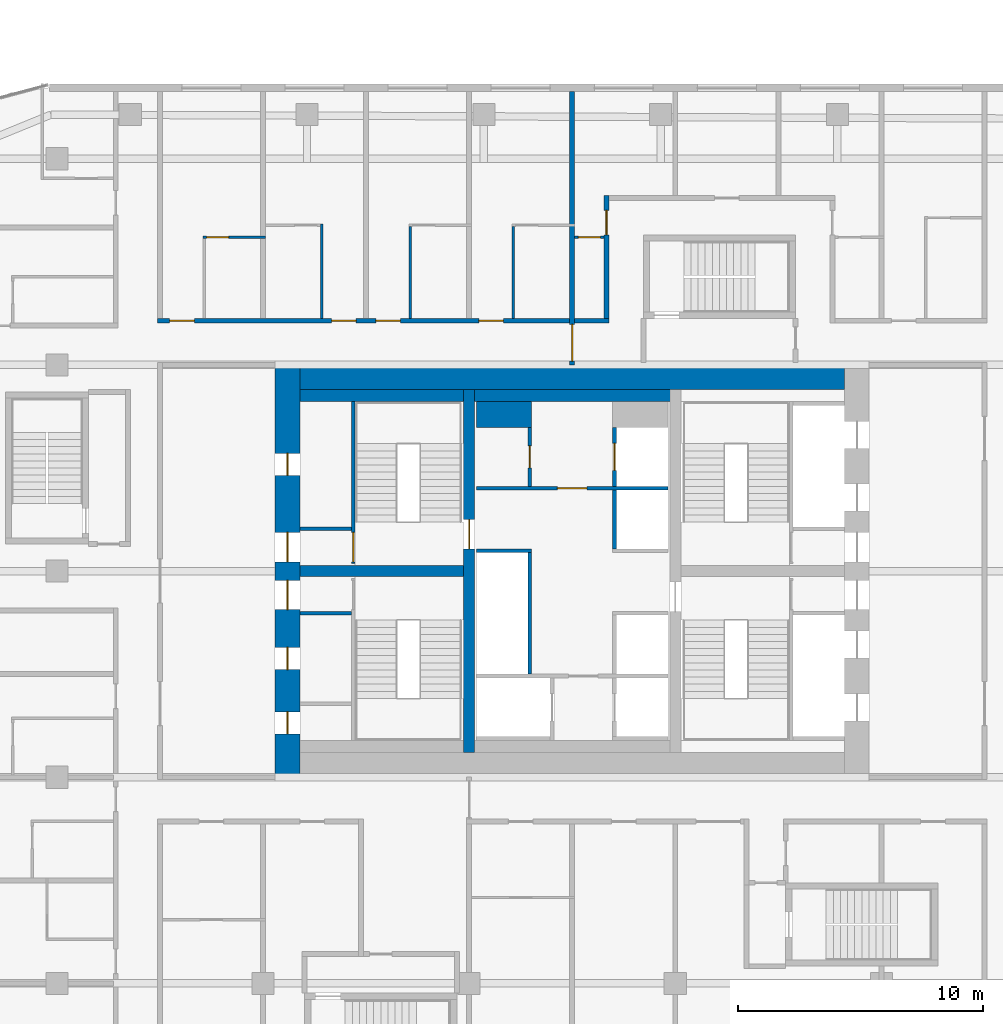
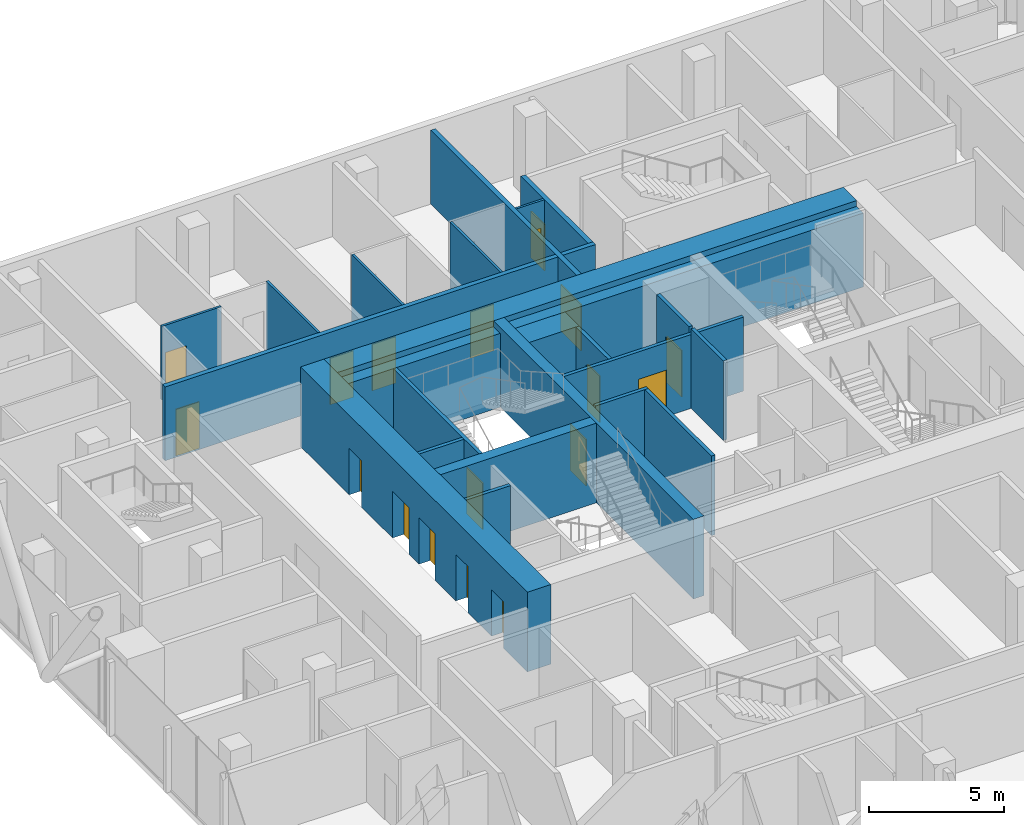
# One storey, part 31 of 36: 23 walls, 18 doors, 18 openings.
"""IFC4 building model written with IfcOpenShell, lengths in metres."""

import ifcopenshell
import ifcopenshell.guid

model = None  # the IFC model being written
_history = None  # IfcOwnerHistory: only IFC2X3 demands one
_inside = {}  # id of a spatial element -> (the spatial element, [elements in it])
_under = {}  # id of a project, library or spatial element -> (it, [spatial elements below it])
_declared = {}  # id of a project -> (the project, [libraries it declares])
_typed = {}  # id of a type object -> (the type object, [elements of that type])
_made_of = {}  # id of a material, layer set ... -> (it, [elements and type objects made of it])


def new_model(schema):
    """Start an empty IFC model of exactly this schema.

    Asked for "IFC4X3", IfcOpenShell would pick the latest addendum, in which some entities
    have other attributes; the version numbers below select the first issue.
    IFC2X3 requires an IfcOwnerHistory on every rooted entity: one is made here for all.
    """
    global model, _history
    if schema == "IFC4X3":
        model = ifcopenshell.file(schema_version=(4, 3, 0, 0))
    else:
        model = ifcopenshell.file(schema=schema)
    _inside.clear()
    _under.clear()
    _declared.clear()
    _typed.clear()
    _made_of.clear()
    _history = None
    if model.schema == "IFC2X3":
        org = make("IfcOrganization", Name="unknown")
        user = make(
            "IfcPersonAndOrganization",
            ThePerson=make("IfcPerson", FamilyName="unknown"),
            TheOrganization=org,
        )
        app = make(
            "IfcApplication",
            ApplicationDeveloper=org,
            Version="unknown",
            ApplicationFullName="unknown",
            ApplicationIdentifier="unknown",
        )
        _history = make(
            "IfcOwnerHistory",
            OwningUser=user,
            OwningApplication=app,
            ChangeAction="ADDED",
            CreationDate=0,
        )
    return model


def make(cls, **values):
    """One entity of the class cls with the attributes given. An attribute that is None is left unset."""
    return model.create_entity(
        cls, **{name: value for name, value in values.items() if value is not None}
    )


def rooted(cls, **values):
    """An entity with a GlobalId (a new one), such as an element, a storey or a relation."""
    return make(cls, GlobalId=ifcopenshell.guid.new(), OwnerHistory=_history, **values)


def si_unit(unit_type, name, prefix=None):
    """IfcSIUnit, for example si_unit("LENGTHUNIT", "METRE", prefix="MILLI")."""
    return make("IfcSIUnit", UnitType=unit_type, Prefix=prefix, Name=name)


def assignment(units):
    """IfcUnitAssignment: the units of a project."""
    return None if units is None else make("IfcUnitAssignment", Units=units)


def point(xyz):
    """IfcCartesianPoint."""
    return None if xyz is None else make("IfcCartesianPoint", Coordinates=xyz)


def direction(xyz):
    """IfcDirection."""
    return None if xyz is None else make("IfcDirection", DirectionRatios=xyz)


def frame(location, z_axis=None, x_axis=None):
    """IfcAxis2Placement3D, a coordinate frame: its origin and axes. An axis left out is left unset."""
    return make(
        "IfcAxis2Placement3D",
        Location=point(location),
        Axis=direction(z_axis),
        RefDirection=direction(x_axis),
    )


def frame_2d(location, x_axis=None):
    """IfcAxis2Placement2D, a coordinate frame in the plane: its origin and x axis."""
    return make(
        "IfcAxis2Placement2D", Location=point(location), RefDirection=direction(x_axis)
    )


def origin():
    """The frame at (0, 0, 0) with its axes left unset."""
    return frame((0.0, 0.0, 0.0))


def place(relative_to, where):
    """IfcLocalPlacement: puts the frame where relative to a parent placement (None: the world)."""
    return make(
        "IfcLocalPlacement", PlacementRelTo=relative_to, RelativePlacement=where
    )


def context(
    kind, dimensions, precision=None, world=None, true_north=None, identifier=None
):
    """IfcGeometricRepresentationContext, for example the 3D "Model" context."""
    return make(
        "IfcGeometricRepresentationContext",
        ContextIdentifier=identifier,
        ContextType=kind,
        CoordinateSpaceDimension=dimensions,
        Precision=precision,
        WorldCoordinateSystem=world,
        TrueNorth=true_north,
    )


def subcontext(parent, identifier, kind, view, scale=None):
    """IfcGeometricRepresentationSubContext, for example "Body" below "Model"."""
    return make(
        "IfcGeometricRepresentationSubContext",
        ContextIdentifier=identifier,
        ContextType=kind,
        ParentContext=parent,
        TargetScale=scale,
        TargetView=view,
    )


def project(units=None, contexts=None):
    """IfcProject with its units and contexts."""
    return rooted(
        "IfcProject",
        Name="project",
        RepresentationContexts=contexts,
        UnitsInContext=assignment(units),
    )


def spatial(cls, under=None, at=None, **own):
    """A site, building, storey or space (cls), placed at a placement, below another one or the project."""
    s = rooted(cls, ObjectPlacement=at, **own)
    if under is not None:
        _under.setdefault(under.id(), (under, []))[1].append(s)
    return s


def profile(cls, at=None, kind="AREA", **sizes):
    """A parametric profile (cls). Its sizes go by their IFC names, for example OverallWidth=200.0."""
    return make(cls, ProfileType=kind, Position=at, **sizes)


def rectangle(**sizes):
    """IfcRectangleProfileDef."""
    return profile("IfcRectangleProfileDef", **sizes)


def extrude(swept, where, along, depth):
    """IfcExtrudedAreaSolid: the profile swept, set in the frame where, extruded along a direction by depth."""
    return make(
        "IfcExtrudedAreaSolid",
        SweptArea=swept,
        Position=where,
        ExtrudedDirection=direction(along),
        Depth=depth,
    )


def shape(context_of_items, identifier, shape_type, items):
    """IfcShapeRepresentation: the items that make up one representation, for example the "Body"."""
    return make(
        "IfcShapeRepresentation",
        ContextOfItems=context_of_items,
        RepresentationIdentifier=identifier,
        RepresentationType=shape_type,
        Items=items,
    )


def material(Name=None, Category=None):
    """IfcMaterial."""
    return make("IfcMaterial", Name=Name, Category=Category)


def layer(
    of_material, thickness, ventilated=None, Name=None, Category=None, Priority=None
):
    """IfcMaterialLayer: one layer of a wall or slab, of a material (None: an air gap)."""
    return make(
        "IfcMaterialLayer",
        Material=of_material,
        LayerThickness=thickness,
        IsVentilated=ventilated,
        Name=Name,
        Category=Category,
        Priority=Priority,
    )


def layer_set(layers, Name=None):
    """IfcMaterialLayerSet."""
    return make("IfcMaterialLayerSet", MaterialLayers=layers, LayerSetName=Name)


def made_of(thing, what):
    """Note that an element or type object is made of a material, layer set ...; save() writes the relation."""
    if what is not None:
        _made_of.setdefault(what.id(), (what, []))[1].append(thing)
    return thing


def type_object(cls, material=None, **own):
    """A type object (cls), such as IfcWallType, which elements share."""
    return made_of(rooted(cls, **own), material)


def element(
    cls,
    number,
    at=None,
    inside=None,
    cuts=None,
    type_object=None,
    material=None,
    context=None,
    identifier="Body",
    shape_type=None,
    held_by="IfcProductDefinitionShape",
    body=None,
    shapes=None,
    **own,
):
    """One element of the class cls, such as IfcWall. Its Tag is "e" and its number.

    at: its placement. inside: the storey or other place that contains it. cuts: it is an
    opening in that element (IfcRelVoidsElement). A single representation is given by context,
    identifier, shape_type and body (its items); several are given by shapes. held_by: the class
    of the entity that holds the representations. save() writes the other relations.
    """
    e = rooted(cls, Tag="e%d" % number, ObjectPlacement=at, **own)
    if body is not None:
        shapes = [shape(context, identifier, shape_type, body)]
    if shapes is not None:
        e.Representation = make(held_by, Representations=shapes)
    if inside is not None:
        _inside.setdefault(inside.id(), (inside, []))[1].append(e)
    if cuts is not None:
        rooted(
            "IfcRelVoidsElement", RelatingBuildingElement=cuts, RelatedOpeningElement=e
        )
    if type_object is not None:
        _typed.setdefault(type_object.id(), (type_object, []))[1].append(e)
    return made_of(e, material)


def fill(opening, filler):
    """IfcRelFillsElement: the door or window that sits in an opening."""
    return rooted(
        "IfcRelFillsElement",
        RelatingOpeningElement=opening,
        RelatedBuildingElement=filler,
    )


def aggregate(whole, parts):
    """IfcRelAggregates: a whole, such as a stair, and the parts it consists of."""
    return rooted("IfcRelAggregates", RelatingObject=whole, RelatedObjects=parts)


def save(model, path):
    """Write the relations noted so far, then the file.

    IfcRelAggregates (storeys below a building ...), IfcRelContainedInSpatialStructure (elements
    in a storey), IfcRelDefinesByType, IfcRelAssociatesMaterial and IfcRelDeclares: one each for
    every whole, place, type object, material and project.
    """
    for whole, parts in _under.values():
        aggregate(whole, parts)
    for where, things in _inside.values():
        rooted(
            "IfcRelContainedInSpatialStructure",
            RelatedElements=things,
            RelatingStructure=where,
        )
    for kind, things in _typed.values():
        rooted("IfcRelDefinesByType", RelatedObjects=things, RelatingType=kind)
    for what, things in _made_of.values():
        rooted("IfcRelAssociatesMaterial", RelatedObjects=things, RelatingMaterial=what)
    for by, libraries in _declared.values():
        rooted("IfcRelDeclares", RelatingContext=by, RelatedDefinitions=libraries)
    model.write(path)


model = new_model("IFC4")

# Units and contexts
model_context = context("Model", 3, precision=1e-05, world=origin(), true_north=direction((0.0, 1.0)))
body_context = subcontext(model_context, "Body", "Model", "MODEL_VIEW")
ifc_project = project(units=[si_unit("LENGTHUNIT", "METRE"), si_unit("AREAUNIT", "SQUARE_METRE"), si_unit("VOLUMEUNIT", "CUBIC_METRE"), si_unit("PLANEANGLEUNIT", "RADIAN"), si_unit("MASSUNIT", "GRAM", prefix="KILO")], contexts=[model_context])

# Site, building, storey
site_placement = place(None, origin())
site = spatial("IfcSite", under=ifc_project, at=site_placement, CompositionType="ELEMENT")
building_placement = place(site_placement, origin())
building = spatial("IfcBuilding", under=site, at=building_placement, Name="Marenta Gate Hotel Tower", CompositionType="ELEMENT")
storey_placement = place(building_placement, frame((0.0, 0.0, 115.699951171875)))
storey = spatial("IfcBuildingStorey", under=building, at=storey_placement, Name="L25", CompositionType="ELEMENT", Elevation=115.699951171875)

# Wall, opening, door
ifc_material_1 = material(Name="Concrete blockwork", Category="masonry")
ifc_layer_1 = layer(ifc_material_1, 0.199951171875)
ifc_layer_set_1 = layer_set([ifc_layer_1], Name="Concrete blockwork")
wall_type_1 = type_object("IfcWallType", Name="Compartment wall 200 REI 180", PredefinedType="PARTITIONING", material=ifc_layer_set_1)
wall_1_placement = place(storey_placement, frame((0.0, 16.800048828125, 0.0), z_axis=(0.0, 0.0, 1.0), x_axis=(0.0, 1.0, 0.0)))
wall_1 = element("IfcWall", 1, at=wall_1_placement, inside=storey, type_object=wall_type_1, Name="L25-PTN-W064", PredefinedType="PARTITIONING", context=body_context, shape_type="SweptSolid", body=[
    extrude(rectangle(XDim=11.139892578125, YDim=0.199951171875, at=frame_2d((5.56982421875, 0.0))), origin(), (0.0, 0.0, 1.0), 3.340087890625),
])
opening_1_placement = place(wall_1_placement, frame((0.14990234375, 0.0, 0.0)))
opening_1 = element("IfcOpeningElement", 2, at=opening_1_placement, cuts=wall_1, Name="Opening G09-FD1", PredefinedType="OPENING", context=body_context, shape_type="SweptSolid", body=[
    extrude(rectangle(XDim=1.5, YDim=2.10009765625, at=frame_2d((0.75, 1.050048828125))), frame((0.0, 0.10009765625, 0.0), z_axis=(0.0, -1.0, 0.0), x_axis=(1.0, 0.0, 0.0)), (0.0, 0.0, 1.0), 0.199951171875),
])
ifc_material_2 = material(Name="Hollow steel door set", Category="steel")
door_type_1 = type_object("IfcDoorType", Name="Compartment fire door 1500x2100 EI 60", OperationType="DOUBLE_DOOR_DOUBLE_SWING", PredefinedType="DOOR", material=ifc_material_2)
door_1_placement = place(opening_1_placement, origin())
door_1 = element("IfcDoor", 3, at=door_1_placement, inside=storey, type_object=door_type_1, Name="L25-PD-FD01", OperationType="DOUBLE_DOOR_DOUBLE_SWING", OverallHeight=2.10009765625, OverallWidth=1.5, PredefinedType="DOOR", context=body_context, shape_type="SweptSolid", body=[
    extrude(rectangle(XDim=1.5, YDim=2.10009765625, at=frame_2d((0.75, 1.050048828125))), frame((0.0, 0.02490234375, 0.0), z_axis=(0.0, -1.0, 0.0), x_axis=(1.0, 0.0, 0.0)), (0.0, 0.0, 1.0), 0.050048828125),
])
fill(opening_1, door_1)

# Wall
ifc_material_3 = material(Name="Concrete C40", Category="concrete")
ifc_layer_2 = layer(ifc_material_3, 0.5)
ifc_layer_set_2 = layer_set([ifc_layer_2], Name="Concrete C40")
wall_type_2 = type_object("IfcWallType", Name="Core lining wall 500 REI 180", PredefinedType="PARTITIONING", material=ifc_layer_set_2)
wall_2_placement = place(storey_placement, frame((-11.10009765625, 15.550048828125, 0.0), z_axis=(0.0, 0.0, 1.0), x_axis=(1.0, 0.0, 0.0)))
element("IfcWall", 4, at=wall_2_placement, inside=storey, type_object=wall_type_2, Name="L25-CP-LN-N", PredefinedType="PARTITIONING", context=body_context, shape_type="SweptSolid", body=[
    extrude(rectangle(XDim=22.2001953125, YDim=0.5, at=frame_2d((11.10009765625, 0.0))), origin(), (0.0, 0.0, 1.0), 3.340087890625),
])

# Wall, opening, door
ifc_material_4 = material(Name="Concrete blockwork", Category="masonry")
ifc_layer_3 = layer(ifc_material_4, 0.14990234375)
ifc_layer_set_3 = layer_set([ifc_layer_3], Name="Concrete blockwork")
wall_type_3 = type_object("IfcWallType", Name="Core lobby partition 150 REI 180", PredefinedType="PARTITIONING", material=ifc_layer_set_3)
wall_3_placement = place(storey_placement, frame((-3.89990234375, 11.77490234375, 0.0), z_axis=(0.0, 0.0, 1.0), x_axis=(1.0, 0.0, 0.0)))
wall_3 = element("IfcWall", 5, at=wall_3_placement, inside=storey, type_object=wall_type_3, Name="L25-CP-CW-N", PredefinedType="PARTITIONING", context=body_context, shape_type="SweptSolid", body=[
    extrude(rectangle(XDim=7.7998046875, YDim=0.14990234375, at=frame_2d((3.89990234375, 0.0))), origin(), (0.0, 0.0, 1.0), 3.340087890625),
])
opening_2_placement = place(wall_3_placement, frame((3.300048828125, 0.0, 0.0)))
opening_2 = element("IfcOpeningElement", 6, at=opening_2_placement, cuts=wall_3, Name="Opening FD-FFN", PredefinedType="OPENING", context=body_context, shape_type="SweptSolid", body=[
    extrude(rectangle(XDim=1.199951171875, YDim=2.10009765625, at=frame_2d((0.60009765625, 1.050048828125))), frame((0.0, 0.074951171875, 0.0), z_axis=(0.0, -1.0, 0.0), x_axis=(1.0, 0.0, 0.0)), (0.0, 0.0, 1.0), 0.14990234375),
])
ifc_material_5 = material(Name="Steel", Category="steel")
door_type_2 = type_object("IfcDoorType", Name="Core lobby door 1200x2100 FD60", OperationType="SINGLE_SWING_LEFT", PredefinedType="DOOR", material=ifc_material_5)
door_2_placement = place(opening_2_placement, origin())
door_2 = element("IfcDoor", 7, at=door_2_placement, inside=storey, type_object=door_type_2, Name="FD-FFN", OperationType="SINGLE_SWING_LEFT", OverallHeight=2.10009765625, OverallWidth=1.199951171875, PredefinedType="DOOR", context=body_context, shape_type="SweptSolid", body=[
    extrude(rectangle(XDim=1.199951171875, YDim=2.10009765625, at=frame_2d((0.60009765625, 1.050048828125))), frame((0.0, 0.02490234375, 0.0), z_axis=(0.0, -1.0, 0.0), x_axis=(1.0, 0.0, 0.0)), (0.0, 0.0, 1.0), 0.050048828125),
])
fill(opening_2, door_2)

# Walls
ifc_material_6 = material(Name="Concrete blockwork", Category="masonry")
ifc_layer_4 = layer(ifc_material_6, 1.050048828125)
ifc_layer_set_4 = layer_set([ifc_layer_4], Name="Concrete blockwork")
wall_type_4 = type_object("IfcWallType", Name="Core room partition 1050 REI 180", PredefinedType="PARTITIONING", material=ifc_layer_set_4)
wall_4_placement = place(storey_placement, frame((-3.89990234375, 14.77490234375, 0.0), z_axis=(0.0, 0.0, 1.0), x_axis=(1.0, 0.0, 0.0)))
element("IfcWall", 8, at=wall_4_placement, inside=storey, type_object=wall_type_4, Name="L25-CP-CW-W-riser-N", PredefinedType="PARTITIONING", context=body_context, shape_type="SweptSolid", body=[
    extrude(rectangle(XDim=2.25, YDim=1.050048828125, at=frame_2d((1.125, 0.0))), origin(), (0.0, 0.0, 1.0), 3.340087890625),
])
ifc_material_7 = material(Name="Concrete blockwork", Category="masonry")
ifc_layer_5 = layer(ifc_material_7, 0.14990234375)
ifc_layer_set_5 = layer_set([ifc_layer_5], Name="Concrete blockwork")
wall_type_5 = type_object("IfcWallType", Name="Core room partition 150 REI 180", PredefinedType="PARTITIONING", material=ifc_layer_set_5)
for number, where, z_axis, x_axis, name in (
    (9, (-11.10009765625, 6.675048828125, 0.0), (0.0, 0.0, 1.0), (1.0, 0.0, 0.0), "L25-CP-SW-WS-2"),
    (10, (-11.10009765625, 10.125, 0.0), (0.0, 0.0, 1.0), (1.0, 0.0, 0.0), "L25-CP-SW-WN-2"),
):
    element("IfcWall", number, at=place(storey_placement, frame(where, z_axis=z_axis, x_axis=x_axis)), inside=storey, type_object=wall_type_5, Name=name, PredefinedType="PARTITIONING", context=body_context, shape_type="SweptSolid", body=[
        extrude(rectangle(XDim=2.10009765625, YDim=0.14990234375, at=frame_2d((1.050048828125, 0.0))), origin(), (0.0, 0.0, 1.0), 3.340087890625),
    ])

# Wall, opening, door
wall_5_placement = place(storey_placement, frame((-1.72509765625, 11.85009765625, 0.0), z_axis=(0.0, 0.0, 1.0), x_axis=(0.0, 1.0, 0.0)))
wall_5 = element("IfcWall", 11, at=wall_5_placement, inside=storey, type_object=wall_type_5, Name="L25-CP-CW-W-riser-front", PredefinedType="PARTITIONING", context=body_context, shape_type="SweptSolid", body=[
    extrude(rectangle(XDim=2.39990234375, YDim=0.14990234375, at=frame_2d((1.199951171875, 0.0))), origin(), (0.0, 0.0, 1.0), 3.340087890625),
])
opening_3_placement = place(wall_5_placement, frame((0.75, 0.0, 0.0)))
opening_3 = element("IfcOpeningElement", 12, at=opening_3_placement, cuts=wall_5, Name="Opening RD-CRISER", PredefinedType="OPENING", context=body_context, shape_type="SweptSolid", body=[
    extrude(rectangle(XDim=0.89990234375, YDim=2.10009765625, at=frame_2d((0.449951171875, 1.050048828125))), frame((0.0, 0.074951171875, 0.0), z_axis=(0.0, -1.0, 0.0), x_axis=(1.0, 0.0, 0.0)), (0.0, 0.0, 1.0), 0.14990234375),
])
ifc_material_8 = material(Name="Steel", Category="steel")
door_type_3 = type_object("IfcDoorType", Name="Core riser door 900x2100 FD60", OperationType="SINGLE_SWING_LEFT", PredefinedType="DOOR", material=ifc_material_8)
door_3_placement = place(opening_3_placement, origin())
door_3 = element("IfcDoor", 13, at=door_3_placement, inside=storey, type_object=door_type_3, Name="RD-CRISER", OperationType="SINGLE_SWING_LEFT", OverallHeight=2.10009765625, OverallWidth=0.89990234375, PredefinedType="DOOR", context=body_context, shape_type="SweptSolid", body=[
    extrude(rectangle(XDim=0.89990234375, YDim=2.10009765625, at=frame_2d((0.449951171875, 1.050048828125))), frame((0.0, 0.02490234375, 0.0), z_axis=(0.0, -1.0, 0.0), x_axis=(1.0, 0.0, 0.0)), (0.0, 0.0, 1.0), 0.050048828125),
])
fill(opening_3, door_3)

# Walls
ifc_material_9 = material(Name="Concrete C40", Category="concrete")
ifc_layer_6 = layer(ifc_material_9, 0.14990234375)
ifc_layer_set_6 = layer_set([ifc_layer_6], Name="Concrete C40")
wall_type_6 = type_object("IfcWallType", Name="Core shaft wall 150 REI 180", PredefinedType="SHEAR", material=ifc_layer_set_6)
wall_6_placement = place(storey_placement, frame((-1.72509765625, 4.199951171875, 0.0), z_axis=(0.0, 0.0, 1.0), x_axis=(0.0, 1.0, 0.0)))
element("IfcWall", 14, at=wall_6_placement, inside=storey, type_object=wall_type_6, Name="L25-SHF-CW-W-front", PredefinedType="SHEAR", context=body_context, shape_type="SweptSolid", body=[
    extrude(rectangle(XDim=4.949951171875, YDim=0.14990234375, at=frame_2d((2.47509765625, 0.0))), origin(), (0.0, 0.0, 1.0), 3.60009765625),
])
wall_7_placement = place(storey_placement, frame((-3.89990234375, 9.22509765625, 0.0), z_axis=(0.0, 0.0, 1.0), x_axis=(1.0, 0.0, 0.0)))
element("IfcWall", 15, at=wall_7_placement, inside=storey, type_object=wall_type_6, Name="L25-SHF-CW-W-sep", PredefinedType="SHEAR", context=body_context, shape_type="SweptSolid", body=[
    extrude(rectangle(XDim=2.25, YDim=0.14990234375, at=frame_2d((1.125, 0.0))), origin(), (0.0, 0.0, 1.0), 3.60009765625),
])

# Wall, opening, door
wall_8_placement = place(storey_placement, frame((1.72509765625, 11.85009765625, 0.0), z_axis=(0.0, 0.0, 1.0), x_axis=(0.0, 1.0, 0.0)))
wall_8 = element("IfcWall", 16, at=wall_8_placement, inside=storey, type_object=wall_type_6, Name="L25-SHF-CE-N-front2", PredefinedType="SHEAR", context=body_context, shape_type="SweptSolid", body=[
    extrude(rectangle(XDim=2.39990234375, YDim=0.14990234375, at=frame_2d((1.199951171875, 0.0))), origin(), (0.0, 0.0, 1.0), 3.60009765625),
])
opening_4_placement = place(wall_8_placement, frame((0.64990234375, 0.0, 0.0)))
opening_4 = element("IfcOpeningElement", 17, at=opening_4_placement, cuts=wall_8, Name="Opening LD-FF2", PredefinedType="OPENING", context=body_context, shape_type="SweptSolid", body=[
    extrude(rectangle(XDim=1.10009765625, YDim=2.10009765625, at=frame_2d((0.550048828125, 1.050048828125))), frame((0.0, 0.074951171875, 0.0), z_axis=(0.0, -1.0, 0.0), x_axis=(1.0, 0.0, 0.0)), (0.0, 0.0, 1.0), 0.14990234375),
])
ifc_material_10 = material(Name="Steel", Category="steel")
door_type_4 = type_object("IfcDoorType", Name="Core lift landing door 1100x2100 E 60", OperationType="SLIDING_TO_LEFT", PredefinedType="DOOR", material=ifc_material_10)
door_4_placement = place(opening_4_placement, origin())
door_4 = element("IfcDoor", 18, at=door_4_placement, inside=storey, type_object=door_type_4, Name="LD-FF2", OperationType="SLIDING_TO_LEFT", OverallHeight=2.10009765625, OverallWidth=1.10009765625, PredefinedType="DOOR", context=body_context, shape_type="SweptSolid", body=[
    extrude(rectangle(XDim=1.10009765625, YDim=2.10009765625, at=frame_2d((0.550048828125, 1.050048828125))), frame((0.0, 0.02490234375, 0.0), z_axis=(0.0, -1.0, 0.0), x_axis=(1.0, 0.0, 0.0)), (0.0, 0.0, 1.0), 0.050048828125),
])
fill(opening_4, door_4)

# Wall
wall_9_placement = place(storey_placement, frame((1.72509765625, 9.300048828125, 0.0), z_axis=(0.0, 0.0, 1.0), x_axis=(0.0, 1.0, 0.0)))
element("IfcWall", 19, at=wall_9_placement, inside=storey, type_object=wall_type_6, Name="L25-SHF-CE-front-2", PredefinedType="SHEAR", context=body_context, shape_type="SweptSolid", body=[
    extrude(rectangle(XDim=2.39990234375, YDim=0.14990234375, at=frame_2d((1.199951171875, 0.0))), origin(), (0.0, 0.0, 1.0), 3.60009765625),
])

# Wall, opening, door
ifc_material_11 = material(Name="Concrete C40", Category="concrete")
ifc_layer_7 = layer(ifc_material_11, 0.14990234375)
ifc_layer_set_7 = layer_set([ifc_layer_7], Name="Concrete C40")
wall_type_7 = type_object("IfcWallType", Name="Core stair enclosure wall 150 REI 180", PredefinedType="SHEAR", material=ifc_layer_set_7)
wall_10_placement = place(storey_placement, frame((-8.925048828125, 8.699951171875, 0.0), z_axis=(0.0, 0.0, 1.0), x_axis=(0.0, 1.0, 0.0)))
wall_10 = element("IfcWall", 20, at=wall_10_placement, inside=storey, type_object=wall_type_7, Name="L25-SHF-SW-WN-3", PredefinedType="SHEAR", context=body_context, shape_type="SweptSolid", body=[
    extrude(rectangle(XDim=6.60009765625, YDim=0.14990234375, at=frame_2d((3.300048828125, 0.0))), origin(), (0.0, 0.0, 1.0), 3.340087890625),
])
opening_5_placement = place(wall_10_placement, frame((0.074951171875, 0.0, 0.0)))
opening_5 = element("IfcOpeningElement", 21, at=opening_5_placement, cuts=wall_10, Name="Opening SD-WN", PredefinedType="OPENING", context=body_context, shape_type="SweptSolid", body=[
    extrude(rectangle(XDim=1.199951171875, YDim=2.10009765625, at=frame_2d((0.60009765625, 1.050048828125))), frame((0.0, 0.074951171875, 0.0), z_axis=(0.0, -1.0, 0.0), x_axis=(1.0, 0.0, 0.0)), (0.0, 0.0, 1.0), 0.14990234375),
])
ifc_material_12 = material(Name="Steel", Category="steel")
door_type_5 = type_object("IfcDoorType", Name="Core stair door 1200x2100 FD60", OperationType="SINGLE_SWING_LEFT", PredefinedType="DOOR", material=ifc_material_12)
door_5_placement = place(opening_5_placement, origin())
door_5 = element("IfcDoor", 22, at=door_5_placement, inside=storey, type_object=door_type_5, Name="SD-WN", OperationType="SINGLE_SWING_LEFT", OverallHeight=2.10009765625, OverallWidth=1.199951171875, PredefinedType="DOOR", context=body_context, shape_type="SweptSolid", body=[
    extrude(rectangle(XDim=1.199951171875, YDim=2.10009765625, at=frame_2d((0.60009765625, 1.050048828125))), frame((0.0, 0.02490234375, 0.0), z_axis=(0.0, -1.0, 0.0), x_axis=(1.0, 0.0, 0.0)), (0.0, 0.0, 1.0), 0.050048828125),
])
fill(opening_5, door_5)

# Wall, openings, doors
ifc_material_13 = material(Name="Concrete C70", Category="concrete")
ifc_layer_8 = layer(ifc_material_13, 1.0)
ifc_layer_set_8 = layer_set([ifc_layer_8], Name="Concrete C70")
wall_type_8 = type_object("IfcWallType", Name="Core wall 1000 C70", PredefinedType="SHEAR", material=ifc_layer_set_8)
wall_11_placement = place(storey_placement, frame((-11.60009765625, 0.0, 0.0), z_axis=(0.0, 0.0, 1.0), x_axis=(0.0, 1.0, 0.0)))
wall_11 = element("IfcWall", 23, at=wall_11_placement, inside=storey, type_object=wall_type_8, Name="L25-CORE-W", PredefinedType="SHEAR", context=body_context, shape_type="SweptSolid", body=[
    extrude(rectangle(XDim=16.800048828125, YDim=1.0, at=frame_2d((8.39990234375, 0.0))), origin(), (0.0, 0.0, 1.0), 3.60009765625),
])
opening_6_placement = place(wall_11_placement, frame((1.762451171875, 0.0, 0.0)))
opening_6 = element("IfcOpeningElement", 24, at=opening_6_placement, cuts=wall_11, Name="Opening RD-WS-1", PredefinedType="OPENING", context=body_context, shape_type="SweptSolid", body=[
    extrude(rectangle(XDim=0.89990234375, YDim=2.10009765625, at=frame_2d((0.449951171875, 1.050048828125))), frame((0.0, 0.5, 0.0), z_axis=(0.0, -1.0, 0.0), x_axis=(1.0, 0.0, 0.0)), (0.0, 0.0, 1.0), 1.0),
])
opening_7_placement = place(wall_11_placement, frame((4.387451171875, 0.0, 0.0)))
opening_7 = element("IfcOpeningElement", 25, at=opening_7_placement, cuts=wall_11, Name="Opening RD-WS-2", PredefinedType="OPENING", context=body_context, shape_type="SweptSolid", body=[
    extrude(rectangle(XDim=0.89990234375, YDim=2.10009765625, at=frame_2d((0.449951171875, 1.050048828125))), frame((0.0, 0.5, 0.0), z_axis=(0.0, -1.0, 0.0), x_axis=(1.0, 0.0, 0.0)), (0.0, 0.0, 1.0), 1.0),
])
opening_8_placement = place(wall_11_placement, frame((6.824951171875, 0.0, 0.0)))
opening_8 = element("IfcOpeningElement", 26, at=opening_8_placement, cuts=wall_11, Name="Opening PD-WS", PredefinedType="OPENING", context=body_context, shape_type="SweptSolid", body=[
    extrude(rectangle(XDim=1.199951171875, YDim=2.10009765625, at=frame_2d((0.60009765625, 1.050048828125))), frame((0.0, 0.5, 0.0), z_axis=(0.0, -1.0, 0.0), x_axis=(1.0, 0.0, 0.0)), (0.0, 0.0, 1.0), 1.0),
])
opening_9_placement = place(wall_11_placement, frame((12.300048828125, 0.0, 0.0)))
opening_9 = element("IfcOpeningElement", 27, at=opening_9_placement, cuts=wall_11, Name="Opening RD-WN-1", PredefinedType="OPENING", context=body_context, shape_type="SweptSolid", body=[
    extrude(rectangle(XDim=0.89990234375, YDim=2.10009765625, at=frame_2d((0.449951171875, 1.050048828125))), frame((0.0, 0.5, 0.0), z_axis=(0.0, -1.0, 0.0), x_axis=(1.0, 0.0, 0.0)), (0.0, 0.0, 1.0), 1.0),
])
opening_10_placement = place(wall_11_placement, frame((8.77490234375, 0.0, 0.0)))
opening_10 = element("IfcOpeningElement", 28, at=opening_10_placement, cuts=wall_11, Name="Opening PD-WN", PredefinedType="OPENING", context=body_context, shape_type="SweptSolid", body=[
    extrude(rectangle(XDim=1.199951171875, YDim=2.10009765625, at=frame_2d((0.60009765625, 1.050048828125))), frame((0.0, 0.5, 0.0), z_axis=(0.0, -1.0, 0.0), x_axis=(1.0, 0.0, 0.0)), (0.0, 0.0, 1.0), 1.0),
])
door_6_placement = place(opening_8_placement, origin())
door_6 = element("IfcDoor", 29, at=door_6_placement, inside=storey, type_object=door_type_2, Name="PD-WS", OperationType="SINGLE_SWING_LEFT", OverallHeight=2.10009765625, OverallWidth=1.199951171875, PredefinedType="DOOR", context=body_context, shape_type="SweptSolid", body=[
    extrude(rectangle(XDim=1.199951171875, YDim=2.10009765625, at=frame_2d((0.60009765625, 1.050048828125))), frame((0.0, 0.02490234375, 0.0), z_axis=(0.0, -1.0, 0.0), x_axis=(1.0, 0.0, 0.0)), (0.0, 0.0, 1.0), 0.050048828125),
])
fill(opening_8, door_6)
door_7_placement = place(opening_10_placement, origin())
door_7 = element("IfcDoor", 30, at=door_7_placement, inside=storey, type_object=door_type_2, Name="PD-WN", OperationType="SINGLE_SWING_LEFT", OverallHeight=2.10009765625, OverallWidth=1.199951171875, PredefinedType="DOOR", context=body_context, shape_type="SweptSolid", body=[
    extrude(rectangle(XDim=1.199951171875, YDim=2.10009765625, at=frame_2d((0.60009765625, 1.050048828125))), frame((0.0, 0.02490234375, 0.0), z_axis=(0.0, -1.0, 0.0), x_axis=(1.0, 0.0, 0.0)), (0.0, 0.0, 1.0), 0.050048828125),
])
fill(opening_10, door_7)
ifc_material_14 = material(Name="Steel", Category="steel")
door_type_6 = type_object("IfcDoorType", Name="Core service room door 900x2100 FD30S", OperationType="SINGLE_SWING_LEFT", PredefinedType="DOOR", material=ifc_material_14)
door_8_placement = place(opening_6_placement, origin())
door_8 = element("IfcDoor", 31, at=door_8_placement, inside=storey, type_object=door_type_6, Name="RD-WS-1", OperationType="SINGLE_SWING_LEFT", OverallHeight=2.10009765625, OverallWidth=0.89990234375, PredefinedType="DOOR", context=body_context, shape_type="SweptSolid", body=[
    extrude(rectangle(XDim=0.89990234375, YDim=2.10009765625, at=frame_2d((0.449951171875, 1.050048828125))), frame((0.0, 0.02490234375, 0.0), z_axis=(0.0, -1.0, 0.0), x_axis=(1.0, 0.0, 0.0)), (0.0, 0.0, 1.0), 0.050048828125),
])
fill(opening_6, door_8)
door_9_placement = place(opening_7_placement, origin())
door_9 = element("IfcDoor", 32, at=door_9_placement, inside=storey, type_object=door_type_6, Name="RD-WS-2", OperationType="SINGLE_SWING_LEFT", OverallHeight=2.10009765625, OverallWidth=0.89990234375, PredefinedType="DOOR", context=body_context, shape_type="SweptSolid", body=[
    extrude(rectangle(XDim=0.89990234375, YDim=2.10009765625, at=frame_2d((0.449951171875, 1.050048828125))), frame((0.0, 0.02490234375, 0.0), z_axis=(0.0, -1.0, 0.0), x_axis=(1.0, 0.0, 0.0)), (0.0, 0.0, 1.0), 0.050048828125),
])
fill(opening_7, door_9)
door_10_placement = place(opening_9_placement, origin())
door_10 = element("IfcDoor", 33, at=door_10_placement, inside=storey, type_object=door_type_6, Name="RD-WN-1", OperationType="SINGLE_SWING_LEFT", OverallHeight=2.10009765625, OverallWidth=0.89990234375, PredefinedType="DOOR", context=body_context, shape_type="SweptSolid", body=[
    extrude(rectangle(XDim=0.89990234375, YDim=2.10009765625, at=frame_2d((0.449951171875, 1.050048828125))), frame((0.0, 0.02490234375, 0.0), z_axis=(0.0, -1.0, 0.0), x_axis=(1.0, 0.0, 0.0)), (0.0, 0.0, 1.0), 0.050048828125),
])
fill(opening_9, door_10)

# Wall
wall_12_placement = place(storey_placement, frame((-11.10009765625, 16.300048828125, 0.0), z_axis=(0.0, 0.0, 1.0), x_axis=(1.0, 0.0, 0.0)))
element("IfcWall", 34, at=wall_12_placement, inside=storey, type_object=wall_type_8, Name="L25-CORE-N", PredefinedType="SHEAR", context=body_context, shape_type="SweptSolid", body=[
    extrude(rectangle(XDim=22.2001953125, YDim=1.0, at=frame_2d((11.10009765625, 0.0))), origin(), (0.0, 0.0, 1.0), 3.60009765625),
])

# Wall, opening, door
ifc_material_15 = material(Name="Concrete C70", Category="concrete")
ifc_layer_9 = layer(ifc_material_15, 0.449951171875)
ifc_layer_set_9 = layer_set([ifc_layer_9], Name="Concrete C70")
wall_type_9 = type_object("IfcWallType", Name="Core web 450 C70", PredefinedType="SHEAR", material=ifc_layer_set_9)
wall_13_placement = place(storey_placement, frame((-4.199951171875, 1.0, 0.0), z_axis=(0.0, 0.0, 1.0), x_axis=(0.0, 1.0, 0.0)))
wall_13 = element("IfcWall", 35, at=wall_13_placement, inside=storey, type_object=wall_type_9, Name="L25-CORE-W1", PredefinedType="SHEAR", context=body_context, shape_type="SweptSolid", body=[
    extrude(rectangle(XDim=14.800048828125, YDim=0.449951171875, at=frame_2d((7.39990234375, 0.0))), origin(), (0.0, 0.0, 1.0), 3.60009765625),
])
opening_11_placement = place(wall_13_placement, frame((8.300048828125, 0.0, 0.0)))
opening_11 = element("IfcOpeningElement", 36, at=opening_11_placement, cuts=wall_13, Name="Opening WD-W", PredefinedType="OPENING", context=body_context, shape_type="SweptSolid", body=[
    extrude(rectangle(XDim=1.199951171875, YDim=2.10009765625, at=frame_2d((0.60009765625, 1.050048828125))), frame((0.0, 0.22509765625, 0.0), z_axis=(0.0, -1.0, 0.0), x_axis=(1.0, 0.0, 0.0)), (0.0, 0.0, 1.0), 0.449951171875),
])
door_11_placement = place(opening_11_placement, origin())
door_11 = element("IfcDoor", 37, at=door_11_placement, inside=storey, type_object=door_type_5, Name="WD-W", OperationType="SINGLE_SWING_LEFT", OverallHeight=2.10009765625, OverallWidth=1.199951171875, PredefinedType="DOOR", context=body_context, shape_type="SweptSolid", body=[
    extrude(rectangle(XDim=1.199951171875, YDim=2.10009765625, at=frame_2d((0.60009765625, 1.050048828125))), frame((0.0, 0.02490234375, 0.0), z_axis=(0.0, -1.0, 0.0), x_axis=(1.0, 0.0, 0.0)), (0.0, 0.0, 1.0), 0.050048828125),
])
fill(opening_11, door_11)

# Wall
wall_14_placement = place(storey_placement, frame((-11.10009765625, 8.39990234375, 0.0), z_axis=(0.0, 0.0, 1.0), x_axis=(1.0, 0.0, 0.0)))
element("IfcWall", 38, at=wall_14_placement, inside=storey, type_object=wall_type_9, Name="L25-CORE-W3", PredefinedType="SHEAR", context=body_context, shape_type="SweptSolid", body=[
    extrude(rectangle(XDim=6.675048828125, YDim=0.449951171875, at=frame_2d((3.33740234375, 0.0))), origin(), (0.0, 0.0, 1.0), 3.60009765625),
])

# Wall, opening, door
ifc_material_16 = material(Name="Gypsum board on steel stud", Category="steel")
ifc_layer_10 = layer(ifc_material_16, 0.199951171875)
ifc_layer_set_10 = layer_set([ifc_layer_10], Name="Gypsum board on steel stud")
wall_type_10 = type_object("IfcWallType", Name="Room corridor wall 200 EI 60", PredefinedType="PARTITIONING", material=ifc_layer_set_10)
wall_15_placement = place(storey_placement, frame((1.39990234375, 18.699951171875, 0.0), z_axis=(0.0, 0.0, 1.0), x_axis=(0.0, 1.0, 0.0)))
wall_15 = element("IfcWall", 39, at=wall_15_placement, inside=storey, type_object=wall_type_10, Name="L25-PTN-W062", PredefinedType="PARTITIONING", context=body_context, shape_type="SweptSolid", body=[
    extrude(rectangle(XDim=5.0, YDim=0.199951171875, at=frame_2d((2.5, 0.0))), origin(), (0.0, 0.0, 1.0), 3.340087890625),
])
opening_12_placement = place(wall_15_placement, frame((3.39990234375, 0.0, 0.0)))
opening_12 = element("IfcOpeningElement", 40, at=opening_12_placement, cuts=wall_15, Name="Opening G09-34", PredefinedType="OPENING", context=body_context, shape_type="SweptSolid", body=[
    extrude(rectangle(XDim=1.0, YDim=2.10009765625, at=frame_2d((0.5, 1.050048828125))), frame((0.0, 0.10009765625, 0.0), z_axis=(0.0, -1.0, 0.0), x_axis=(1.0, 0.0, 0.0)), (0.0, 0.0, 1.0), 0.199951171875),
])
ifc_material_17 = material(Name="Timber door leaf", Category="wood")
door_type_7 = type_object("IfcDoorType", Name="Guest room door 1000x2100 EI 30", OperationType="NOTDEFINED", PredefinedType="DOOR", material=ifc_material_17)
door_12_placement = place(opening_12_placement, origin())
door_12 = element("IfcDoor", 41, at=door_12_placement, inside=storey, type_object=door_type_7, Name="L25-PD-D034", OperationType="SINGLE_SWING_RIGHT", OverallHeight=2.10009765625, OverallWidth=1.0, PredefinedType="DOOR", context=body_context, shape_type="SweptSolid", body=[
    extrude(rectangle(XDim=1.0, YDim=2.10009765625, at=frame_2d((0.5, 1.050048828125))), frame((0.0, 0.02490234375, 0.0), z_axis=(0.0, -1.0, 0.0), x_axis=(1.0, 0.0, 0.0)), (0.0, 0.0, 1.0), 0.050048828125),
])
fill(opening_12, door_12)

# Wall, openings, doors
wall_16_placement = place(storey_placement, frame((-16.89990234375, 18.60009765625, 0.0), z_axis=(0.0, 0.0, 1.0), x_axis=(1.0, 0.0, 0.0)))
wall_16 = element("IfcWall", 42, at=wall_16_placement, inside=storey, type_object=wall_type_10, Name="L25-PTN-W106", PredefinedType="PARTITIONING", context=body_context, shape_type="SweptSolid", body=[
    extrude(rectangle(XDim=18.39990234375, YDim=0.199951171875, at=frame_2d((9.199951171875, 0.0))), origin(), (0.0, 0.0, 1.0), 3.340087890625),
])
opening_13_placement = place(wall_16_placement, frame((0.5, 0.0, 0.0)))
opening_13 = element("IfcOpeningElement", 43, at=opening_13_placement, cuts=wall_16, Name="Opening G09-26", PredefinedType="OPENING", context=body_context, shape_type="SweptSolid", body=[
    extrude(rectangle(XDim=1.0, YDim=2.10009765625, at=frame_2d((0.5, 1.050048828125))), frame((0.0, 0.10009765625, 0.0), z_axis=(0.0, -1.0, 0.0), x_axis=(1.0, 0.0, 0.0)), (0.0, 0.0, 1.0), 0.199951171875),
])
opening_14_placement = place(wall_16_placement, frame((7.10009765625, 0.0, 0.0)))
opening_14 = element("IfcOpeningElement", 44, at=opening_14_placement, cuts=wall_16, Name="Opening G09-28", PredefinedType="OPENING", context=body_context, shape_type="SweptSolid", body=[
    extrude(rectangle(XDim=1.0, YDim=2.10009765625, at=frame_2d((0.5, 1.050048828125))), frame((0.0, 0.10009765625, 0.0), z_axis=(0.0, -1.0, 0.0), x_axis=(1.0, 0.0, 0.0)), (0.0, 0.0, 1.0), 0.199951171875),
])
opening_15_placement = place(wall_16_placement, frame((8.89990234375, 0.0, 0.0)))
opening_15 = element("IfcOpeningElement", 45, at=opening_15_placement, cuts=wall_16, Name="Opening G09-30", PredefinedType="OPENING", context=body_context, shape_type="SweptSolid", body=[
    extrude(rectangle(XDim=1.0, YDim=2.10009765625, at=frame_2d((0.5, 1.050048828125))), frame((0.0, 0.10009765625, 0.0), z_axis=(0.0, -1.0, 0.0), x_axis=(1.0, 0.0, 0.0)), (0.0, 0.0, 1.0), 0.199951171875),
])
opening_16_placement = place(wall_16_placement, frame((13.10009765625, 0.0, 0.0)))
opening_16 = element("IfcOpeningElement", 46, at=opening_16_placement, cuts=wall_16, Name="Opening G09-32", PredefinedType="OPENING", context=body_context, shape_type="SweptSolid", body=[
    extrude(rectangle(XDim=1.0, YDim=2.10009765625, at=frame_2d((0.5, 1.050048828125))), frame((0.0, 0.10009765625, 0.0), z_axis=(0.0, -1.0, 0.0), x_axis=(1.0, 0.0, 0.0)), (0.0, 0.0, 1.0), 0.199951171875),
])
door_13_placement = place(opening_13_placement, origin())
door_13 = element("IfcDoor", 47, at=door_13_placement, inside=storey, type_object=door_type_7, Name="L25-PD-D026", OperationType="SINGLE_SWING_LEFT", OverallHeight=2.10009765625, OverallWidth=1.0, PredefinedType="DOOR", context=body_context, shape_type="SweptSolid", body=[
    extrude(rectangle(XDim=1.0, YDim=2.10009765625, at=frame_2d((0.5, 1.050048828125))), frame((0.0, 0.02490234375, 0.0), z_axis=(0.0, -1.0, 0.0), x_axis=(1.0, 0.0, 0.0)), (0.0, 0.0, 1.0), 0.050048828125),
])
fill(opening_13, door_13)
door_14_placement = place(opening_14_placement, origin())
door_14 = element("IfcDoor", 48, at=door_14_placement, inside=storey, type_object=door_type_7, Name="L25-PD-D028", OperationType="SINGLE_SWING_LEFT", OverallHeight=2.10009765625, OverallWidth=1.0, PredefinedType="DOOR", context=body_context, shape_type="SweptSolid", body=[
    extrude(rectangle(XDim=1.0, YDim=2.10009765625, at=frame_2d((0.5, 1.050048828125))), frame((0.0, 0.02490234375, 0.0), z_axis=(0.0, -1.0, 0.0), x_axis=(1.0, 0.0, 0.0)), (0.0, 0.0, 1.0), 0.050048828125),
])
fill(opening_14, door_14)
door_15_placement = place(opening_15_placement, origin())
door_15 = element("IfcDoor", 49, at=door_15_placement, inside=storey, type_object=door_type_7, Name="L25-PD-D030", OperationType="SINGLE_SWING_LEFT", OverallHeight=2.10009765625, OverallWidth=1.0, PredefinedType="DOOR", context=body_context, shape_type="SweptSolid", body=[
    extrude(rectangle(XDim=1.0, YDim=2.10009765625, at=frame_2d((0.5, 1.050048828125))), frame((0.0, 0.02490234375, 0.0), z_axis=(0.0, -1.0, 0.0), x_axis=(1.0, 0.0, 0.0)), (0.0, 0.0, 1.0), 0.050048828125),
])
fill(opening_15, door_15)
door_16_placement = place(opening_16_placement, origin())
door_16 = element("IfcDoor", 50, at=door_16_placement, inside=storey, type_object=door_type_7, Name="L25-PD-D032", OperationType="SINGLE_SWING_LEFT", OverallHeight=2.10009765625, OverallWidth=1.0, PredefinedType="DOOR", context=body_context, shape_type="SweptSolid", body=[
    extrude(rectangle(XDim=1.0, YDim=2.10009765625, at=frame_2d((0.5, 1.050048828125))), frame((0.0, 0.02490234375, 0.0), z_axis=(0.0, -1.0, 0.0), x_axis=(1.0, 0.0, 0.0)), (0.0, 0.0, 1.0), 0.050048828125),
])
fill(opening_16, door_16)

# Walls
ifc_material_18 = material(Name="Gypsum board on steel stud", Category="steel")
ifc_layer_11 = layer(ifc_material_18, 0.10009765625)
ifc_layer_set_11 = layer_set([ifc_layer_11], Name="Gypsum board on steel stud")
wall_type_11 = type_object("IfcWallType", Name="Room partition 100", PredefinedType="PARTITIONING", material=ifc_layer_set_11)
for number, where, z_axis, x_axis, name in (
    (51, (-2.39990234375, 18.699951171875, 0.0), (0.0, 0.0, 1.0), (0.0, 1.0, 0.0), "L25-PTN-W067"),
    (52, (-6.60009765625, 18.699951171875, 0.0), (0.0, 0.0, 1.0), (0.0, 1.0, 0.0), "L25-PTN-W078"),
):
    element("IfcWall", number, at=place(storey_placement, frame(where, z_axis=z_axis, x_axis=x_axis)), inside=storey, type_object=wall_type_11, Name=name, PredefinedType="PARTITIONING", context=body_context, shape_type="SweptSolid", body=[
        extrude(rectangle(XDim=3.75, YDim=0.10009765625, at=frame_2d((1.875, 0.0))), origin(), (0.0, 0.0, 1.0), 3.340087890625),
    ])
wall_17_placement = place(storey_placement, frame((-10.199951171875, 18.699951171875, 0.0), z_axis=(0.0, 0.0, 1.0), x_axis=(0.0, 1.0, 0.0)))
element("IfcWall", 53, at=wall_17_placement, inside=storey, type_object=wall_type_11, Name="L25-PTN-W086", PredefinedType="PARTITIONING", context=body_context, shape_type="SweptSolid", body=[
    extrude(rectangle(XDim=3.85009765625, YDim=0.10009765625, at=frame_2d((1.925048828125, 0.0))), origin(), (0.0, 0.0, 1.0), 3.340087890625),
])

# Wall, opening, door
wall_18_placement = place(storey_placement, frame((-15.050048828125, 22.0, 0.0), z_axis=(0.0, 0.0, 1.0), x_axis=(1.0, 0.0, 0.0)))
wall_18 = element("IfcWall", 54, at=wall_18_placement, inside=storey, type_object=wall_type_11, Name="L25-PTN-W114", PredefinedType="PARTITIONING", context=body_context, shape_type="SweptSolid", body=[
    extrude(rectangle(XDim=2.550048828125, YDim=0.10009765625, at=frame_2d((1.27490234375, 0.0))), origin(), (0.0, 0.0, 1.0), 3.340087890625),
])
opening_17_placement = place(wall_18_placement, frame((0.14990234375, 0.0, 0.0)))
opening_17 = element("IfcOpeningElement", 55, at=opening_17_placement, cuts=wall_18, Name="Opening G09-27", PredefinedType="OPENING", context=body_context, shape_type="SweptSolid", body=[
    extrude(rectangle(XDim=0.89990234375, YDim=2.10009765625, at=frame_2d((0.449951171875, 1.050048828125))), frame((0.0, 0.050048828125, 0.0), z_axis=(0.0, -1.0, 0.0), x_axis=(1.0, 0.0, 0.0)), (0.0, 0.0, 1.0), 0.10009765625),
])
ifc_material_19 = material(Name="Timber door leaf", Category="wood")
door_type_8 = type_object("IfcDoorType", Name="Guest bathroom door 900x2100", OperationType="NOTDEFINED", PredefinedType="DOOR", material=ifc_material_19)
door_17_placement = place(opening_17_placement, origin())
door_17 = element("IfcDoor", 56, at=door_17_placement, inside=storey, type_object=door_type_8, Name="L25-PD-D027", OperationType="SINGLE_SWING_RIGHT", OverallHeight=2.10009765625, OverallWidth=0.89990234375, PredefinedType="DOOR", context=body_context, shape_type="SweptSolid", body=[
    extrude(rectangle(XDim=0.89990234375, YDim=2.10009765625, at=frame_2d((0.449951171875, 1.050048828125))), frame((0.0, 0.02490234375, 0.0), z_axis=(0.0, -1.0, 0.0), x_axis=(1.0, 0.0, 0.0)), (0.0, 0.0, 1.0), 0.050048828125),
])
fill(opening_17, door_17)

wall_19_placement = place(storey_placement, frame((0.10009765625, 22.0, 0.0), z_axis=(0.0, 0.0, 1.0), x_axis=(1.0, 0.0, 0.0)))
wall_19 = element("IfcWall", 57, at=wall_19_placement, inside=storey, type_object=wall_type_11, Name="L25-PTN-W115", PredefinedType="PARTITIONING", context=body_context, shape_type="SweptSolid", body=[
    extrude(rectangle(XDim=1.199951171875, YDim=0.10009765625, at=frame_2d((0.60009765625, 0.0))), origin(), (0.0, 0.0, 1.0), 3.340087890625),
])
opening_18_placement = place(wall_19_placement, frame((0.14990234375, 0.0, 0.0)))
opening_18 = element("IfcOpeningElement", 58, at=opening_18_placement, cuts=wall_19, Name="Opening G09-35", PredefinedType="OPENING", context=body_context, shape_type="SweptSolid", body=[
    extrude(rectangle(XDim=0.89990234375, YDim=2.10009765625, at=frame_2d((0.449951171875, 1.050048828125))), frame((0.0, 0.050048828125, 0.0), z_axis=(0.0, -1.0, 0.0), x_axis=(1.0, 0.0, 0.0)), (0.0, 0.0, 1.0), 0.10009765625),
])
door_18_placement = place(opening_18_placement, origin())
door_18 = element("IfcDoor", 59, at=door_18_placement, inside=storey, type_object=door_type_8, Name="L25-PD-D035", OperationType="SINGLE_SWING_LEFT", OverallHeight=2.10009765625, OverallWidth=0.89990234375, PredefinedType="DOOR", context=body_context, shape_type="SweptSolid", body=[
    extrude(rectangle(XDim=0.89990234375, YDim=2.10009765625, at=frame_2d((0.449951171875, 1.050048828125))), frame((0.0, 0.02490234375, 0.0), z_axis=(0.0, -1.0, 0.0), x_axis=(1.0, 0.0, 0.0)), (0.0, 0.0, 1.0), 0.050048828125),
])
fill(opening_18, door_18)

save(model, "model.ifc")
